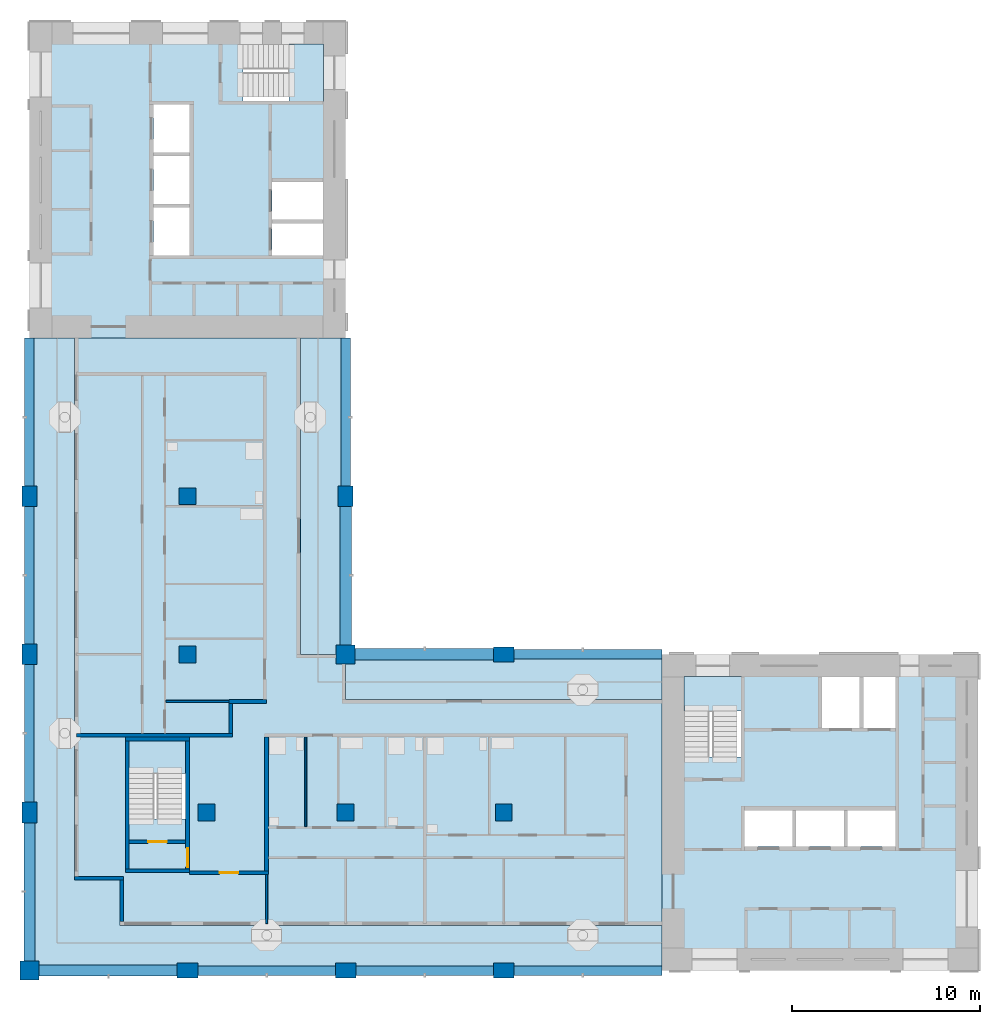
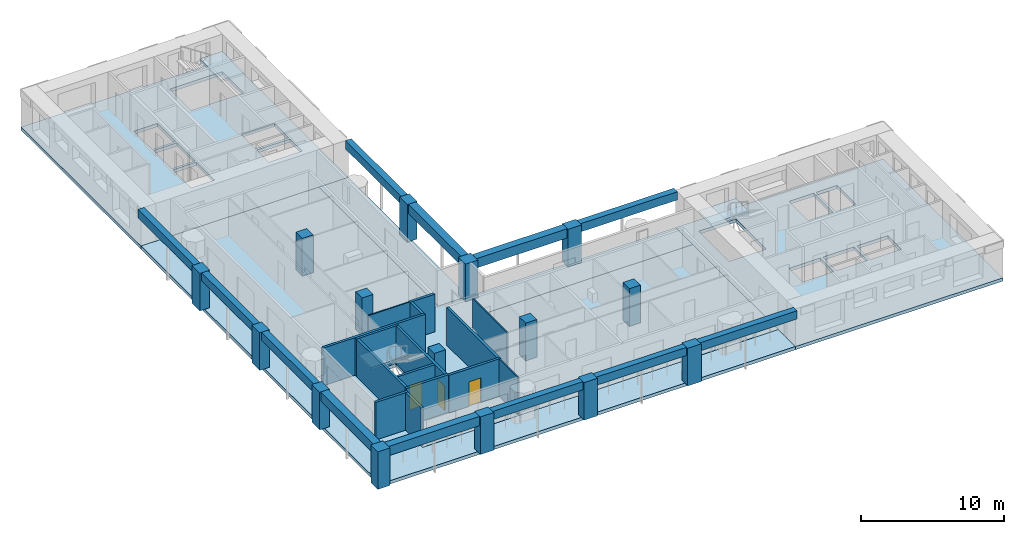
# One storey, part 1 of 12: 15 columns, 15 walls, 12 beams, 10 slabs, 3 doors, 3 openings, 3 elements without a shape of their own.
"""IFC4 building model written with IfcOpenShell, lengths in metres."""

from ifc_helpers import new_model, si_unit, direction, frame, frame_2d, origin, origin_2d, place, context, subcontext, project, spatial, polyline, rectangle, outline, extrude, material, layer, layer_set, material_profile, profile_set, type_object, element, fill, aggregate, save


model = new_model("IFC4")

# Units and contexts
model_context = context("Model", 3, precision=1e-05, world=origin(), true_north=direction((0.0, 1.0)))
body_context = subcontext(model_context, "Body", "Model", "MODEL_VIEW")
ifc_project = project(units=[si_unit("LENGTHUNIT", "METRE"), si_unit("AREAUNIT", "SQUARE_METRE"), si_unit("VOLUMEUNIT", "CUBIC_METRE"), si_unit("PLANEANGLEUNIT", "RADIAN"), si_unit("MASSUNIT", "GRAM", prefix="KILO")], contexts=[model_context])

# Site, building, storey
site_placement = place(None, origin())
site = spatial("IfcSite", under=ifc_project, at=site_placement, CompositionType="ELEMENT")
building_placement = place(site_placement, origin())
building = spatial("IfcBuilding", under=site, at=building_placement, Name="Vermilion Gate Residences", CompositionType="ELEMENT")
storey_placement = place(building_placement, frame((0.0, 0.0, 235.199951171875)))
storey = spatial("IfcBuildingStorey", under=building, at=storey_placement, Name="L61", CompositionType="ELEMENT", Elevation=235.199951171875)

# Columns
ifc_material_1 = material(Name="Concrete C50", Category="concrete")
ifc_material_profile_1 = material_profile(ifc_material_1, rectangle(XDim=1.0, YDim=1.0, at=origin_2d()), Name="RC-1000x1000")
ifc_profile_set_1 = profile_set([ifc_material_profile_1], Name="Concrete C50")
column_type_1 = type_object("IfcColumnType", Name="RC COLUMN 1000 X 1000 C50", PredefinedType="COLUMN", material=ifc_profile_set_1)
for number, where, z_axis, x_axis, name in (
    (1, (8.39990234375, 8.39990234375, 0.0), (0.0, 0.0, 1.0), (1.0, 0.0, 0.0), "Column 2-B L61"),
    (2, (25.199951171875, 25.199951171875, 0.0), (0.0, 0.0, 1.0), (1.0, 0.0, 0.0), "Column 4-D L61"),
):
    element("IfcColumn", number, at=place(storey_placement, frame(where, z_axis=z_axis, x_axis=x_axis)), inside=storey, type_object=column_type_1, Name=name, PredefinedType="COLUMN", context=body_context, shape_type="SweptSolid", body=[
        extrude(rectangle(XDim=1.0, YDim=1.0, at=origin_2d()), origin(), (0.0, 0.0, 1.0), 3.219970703125),
    ])
ifc_material_2 = material(Name="Concrete C50", Category="concrete")
ifc_material_profile_2 = material_profile(ifc_material_2, rectangle(XDim=1.10009765625, YDim=0.800048828125, at=origin_2d()), Name="RC-1100x800")
ifc_profile_set_2 = profile_set([ifc_material_profile_2], Name="Concrete C50")
column_type_2 = type_object("IfcColumnType", Name="RC COLUMN 1100 X 800 C50", PredefinedType="COLUMN", material=ifc_profile_set_2)
for number, where, z_axis, x_axis, name in (
    (3, (8.39990234375, 16.800048828125, 0.0), (0.0, 0.0, 1.0), (0.0, 1.0, 0.0), "Column 2-C L61"),
    (4, (8.39990234375, 25.199951171875, 0.0), (0.0, 0.0, 1.0), (0.0, 1.0, 0.0), "Column 2-D L61"),
    (5, (8.39990234375, 33.60009765625, 0.0), (0.0, 0.0, 1.0), (0.0, 1.0, 0.0), "Column 2-E L61"),
    (6, (16.800048828125, 8.39990234375, 0.0), (0.0, 0.0, 1.0), (1.0, 0.0, 0.0), "Column 3-B L61"),
    (7, (25.199951171875, 8.39990234375, 0.0), (0.0, 0.0, 1.0), (1.0, 0.0, 0.0), "Column 4-B L61"),
    (8, (25.199951171875, 33.60009765625, 0.0), (0.0, 0.0, 1.0), (0.0, 1.0, 0.0), "Column 4-E L61"),
    (9, (33.60009765625, 8.39990234375, 0.0), (0.0, 0.0, 1.0), (1.0, 0.0, 0.0), "Column 5-B L61"),
    (10, (33.60009765625, 25.199951171875, 0.0), (0.0, 0.0, 1.0), (1.0, 0.0, 0.0), "Column 5-D L61"),
):
    element("IfcColumn", number, at=place(storey_placement, frame(where, z_axis=z_axis, x_axis=x_axis)), inside=storey, type_object=column_type_2, Name=name, PredefinedType="COLUMN", context=body_context, shape_type="SweptSolid", body=[
        extrude(rectangle(XDim=1.10009765625, YDim=0.800048828125, at=origin_2d()), origin(), (0.0, 0.0, 1.0), 3.219970703125),
    ])
ifc_material_3 = material(Name="Concrete C50", Category="concrete")
ifc_material_profile_3 = material_profile(ifc_material_3, rectangle(XDim=0.89990234375, YDim=0.89990234375, at=origin_2d()), Name="RC-900x900")
ifc_profile_set_3 = profile_set([ifc_material_profile_3], Name="Concrete C50")
column_type_3 = type_object("IfcColumnType", Name="RC COLUMN 900 X 900 C50", PredefinedType="COLUMN", material=ifc_profile_set_3)
for number, where, z_axis, x_axis, name in (
    (11, (17.800048828125, 16.800048828125, 0.0), (0.0, 0.0, 1.0), (1.0, 0.0, 0.0), "Column 3-C L61"),
    (12, (16.800048828125, 25.199951171875, 0.0), (0.0, 0.0, 1.0), (1.0, 0.0, 0.0), "Column 3-D L61"),
    (13, (16.800048828125, 33.60009765625, 0.0), (0.0, 0.0, 1.0), (1.0, 0.0, 0.0), "Column 3-E L61"),
    (14, (25.199951171875, 16.800048828125, 0.0), (0.0, 0.0, 1.0), (1.0, 0.0, 0.0), "Column 4-C L61"),
    (15, (33.60009765625, 16.800048828125, 0.0), (0.0, 0.0, 1.0), (1.0, 0.0, 0.0), "Column 5-C L61"),
):
    element("IfcColumn", number, at=place(storey_placement, frame(where, z_axis=z_axis, x_axis=x_axis)), inside=storey, type_object=column_type_3, Name=name, PredefinedType="COLUMN", context=body_context, shape_type="SweptSolid", body=[
        extrude(rectangle(XDim=0.89990234375, YDim=0.89990234375, at=origin_2d()), origin(), (0.0, 0.0, 1.0), 3.219970703125),
    ])

# Beams
ifc_material_4 = material(Name="Concrete C60 red-oxide pigmented", Category="concrete")
ifc_material_profile_4 = material_profile(ifc_material_4, rectangle(XDim=0.60009765625, YDim=0.800048828125, at=origin_2d()), Name="RC-600x800")
ifc_profile_set_4 = profile_set([ifc_material_profile_4], Name="Concrete C60 red-oxide pigmented")
beam_type_1 = type_object("IfcBeamType", Name="RC CORNER EDGE BEAM 600 X 800 C60", PredefinedType="BEAM", material=ifc_profile_set_4)
for number, where, z_axis, x_axis, name in (
    (16, (8.89990234375, 8.39990234375, 2.820068359375), (1.0, 0.0, 0.0), (0.0, 1.0, 0.0), "Corner edge beam L61 1"),
    (17, (8.39990234375, 8.89990234375, 2.820068359375), (0.0, 1.0, 0.0), (-1.0, 0.0, 0.0), "Corner edge beam L61 2"),
    (18, (25.199951171875, 25.699951171875, 2.820068359375), (0.0, 1.0, 0.0), (-1.0, 0.0, 0.0), "Corner edge beam L61 7"),
    (19, (25.699951171875, 25.199951171875, 2.820068359375), (1.0, 0.0, 0.0), (0.0, 1.0, 0.0), "Corner edge beam L61 10"),
):
    element("IfcBeam", number, at=place(storey_placement, frame(where, z_axis=z_axis, x_axis=x_axis)), inside=storey, type_object=beam_type_1, Name=name, PredefinedType="BEAM", context=body_context, shape_type="SweptSolid", body=[
        extrude(rectangle(XDim=0.60009765625, YDim=0.800048828125, at=origin_2d()), origin(), (0.0, 0.0, 1.0), 7.35009765625),
    ])
ifc_material_5 = material(Name="Concrete C60 red-oxide pigmented", Category="concrete")
ifc_material_profile_5 = material_profile(ifc_material_5, rectangle(XDim=0.5, YDim=0.699951171875, at=origin_2d()), Name="RC-500x700")
ifc_profile_set_5 = profile_set([ifc_material_profile_5], Name="Concrete C60 red-oxide pigmented")
beam_type_2 = type_object("IfcBeamType", Name="RC EDGE BEAM 500 X 700 C60", PredefinedType="BEAM", material=ifc_profile_set_5)
beam_1_placement = place(storey_placement, frame((8.39990234375, 17.35009765625, 2.8701171875), z_axis=(0.0, 1.0, 0.0), x_axis=(-1.0, 0.0, 0.0)))
element("IfcBeam", 20, at=beam_1_placement, inside=storey, type_object=beam_type_2, Name="Edge beam L61 3", PredefinedType="BEAM", context=body_context, shape_type="SweptSolid", body=[
    extrude(rectangle(XDim=0.5, YDim=0.699951171875, at=origin_2d()), origin(), (0.0, 0.0, 1.0), 7.2998046875),
])
beam_2_placement = place(storey_placement, frame((8.39990234375, 25.75, 2.8701171875), z_axis=(0.0, 1.0, 0.0), x_axis=(-1.0, 0.0, 0.0)))
element("IfcBeam", 21, at=beam_2_placement, inside=storey, type_object=beam_type_2, Name="Edge beam L61 4", PredefinedType="BEAM", context=body_context, shape_type="SweptSolid", body=[
    extrude(rectangle(XDim=0.5, YDim=0.699951171875, at=origin_2d()), origin(), (0.0, 0.0, 1.0), 7.300048828125),
])
beam_3_placement = place(storey_placement, frame((8.39990234375, 34.14990234375, 2.8701171875), z_axis=(0.0, 1.0, 0.0), x_axis=(-1.0, 0.0, 0.0)))
element("IfcBeam", 22, at=beam_3_placement, inside=storey, type_object=beam_type_2, Name="Edge beam L61 5", PredefinedType="BEAM", context=body_context, shape_type="SweptSolid", body=[
    extrude(rectangle(XDim=0.5, YDim=0.699951171875, at=origin_2d()), origin(), (0.0, 0.0, 1.0), 7.85009765625),
])
beam_4_placement = place(storey_placement, frame((17.35009765625, 8.39990234375, 2.8701171875), z_axis=(1.0, 0.0, 0.0), x_axis=(0.0, 1.0, 0.0)))
element("IfcBeam", 23, at=beam_4_placement, inside=storey, type_object=beam_type_2, Name="Edge beam L61 6", PredefinedType="BEAM", context=body_context, shape_type="SweptSolid", body=[
    extrude(rectangle(XDim=0.5, YDim=0.699951171875, at=origin_2d()), origin(), (0.0, 0.0, 1.0), 7.2998046875),
])
beam_5_placement = place(storey_placement, frame((25.199951171875, 34.14990234375, 2.8701171875), z_axis=(0.0, 1.0, 0.0), x_axis=(-1.0, 0.0, 0.0)))
element("IfcBeam", 24, at=beam_5_placement, inside=storey, type_object=beam_type_2, Name="Edge beam L61 8", PredefinedType="BEAM", context=body_context, shape_type="SweptSolid", body=[
    extrude(rectangle(XDim=0.5, YDim=0.699951171875, at=origin_2d()), origin(), (0.0, 0.0, 1.0), 7.85009765625),
])
beam_6_placement = place(storey_placement, frame((25.75, 8.39990234375, 2.8701171875), z_axis=(1.0, 0.0, 0.0), x_axis=(0.0, 1.0, 0.0)))
element("IfcBeam", 25, at=beam_6_placement, inside=storey, type_object=beam_type_2, Name="Edge beam L61 9", PredefinedType="BEAM", context=body_context, shape_type="SweptSolid", body=[
    extrude(rectangle(XDim=0.5, YDim=0.699951171875, at=origin_2d()), origin(), (0.0, 0.0, 1.0), 7.300048828125),
])
for number, where, z_axis, x_axis, name in (
    (26, (34.14990234375, 8.39990234375, 2.8701171875), (1.0, 0.0, 0.0), (0.0, 1.0, 0.0), "Edge beam L61 11"),
    (27, (34.14990234375, 25.199951171875, 2.8701171875), (1.0, 0.0, 0.0), (0.0, 1.0, 0.0), "Edge beam L61 12"),
):
    element("IfcBeam", number, at=place(storey_placement, frame(where, z_axis=z_axis, x_axis=x_axis)), inside=storey, type_object=beam_type_2, Name=name, PredefinedType="BEAM", context=body_context, shape_type="SweptSolid", body=[
        extrude(rectangle(XDim=0.5, YDim=0.699951171875, at=origin_2d()), origin(), (0.0, 0.0, 1.0), 7.85009765625),
    ])

# Slabs
ifc_material_6 = material(Name="Concrete C50", Category="concrete")
ifc_layer_1 = layer(ifc_material_6, 0.280029296875)
ifc_layer_set_1 = layer_set([ifc_layer_1], Name="RC CORE FLOOR SLAB 280 C50")
slab_type_1 = type_object("IfcSlabType", Name="RC CORE FLOOR SLAB 280 C50", PredefinedType="FLOOR", material=ifc_layer_set_1)
slab_1_placement = place(storey_placement, frame((0.0, 0.0, -0.280029296875)))
element("IfcSlab", 28, at=slab_1_placement, inside=storey, type_object=slab_type_1, Name="Core floor slab A61", PredefinedType="FLOOR", context=body_context, shape_type="SweptSolid", body=[
    extrude(outline(polyline([(42.0, 8.39990234375), (58.800048828125, 8.39990234375), (58.800048828125, 25.199951171875), (42.0, 25.199951171875), (42.0, 8.39990234375)]), holes=[polyline([(46.39990234375, 15.0), (46.39990234375, 16.89990234375), (48.933349609375, 16.89990234375), (48.933349609375, 15.0), (46.39990234375, 15.0)]), polyline([(49.13330078125, 16.89990234375), (51.666748046875, 16.89990234375), (51.666748046875, 15.0), (49.13330078125, 15.0), (49.13330078125, 16.89990234375)]), polyline([(51.86669921875, 16.89990234375), (54.39990234375, 16.89990234375), (54.39990234375, 15.0), (51.86669921875, 15.0), (51.86669921875, 16.89990234375)]), polyline([(43.199951171875, 19.75), (43.199951171875, 24.0), (46.199951171875, 24.0), (46.199951171875, 19.75), (43.199951171875, 19.75)]), polyline([(50.5, 24.0), (52.5, 24.0), (52.5, 21.300048828125), (50.5, 21.300048828125), (50.5, 24.0)]), polyline([(52.699951171875, 24.0), (54.39990234375, 24.0), (54.39990234375, 21.300048828125), (52.699951171875, 21.300048828125), (52.699951171875, 24.0)])]), origin(), (0.0, 0.0, 1.0), 0.280029296875),
])
slab_2_placement = place(storey_placement, frame((0.0, 0.0, -0.280029296875)))
element("IfcSlab", 29, at=slab_2_placement, inside=storey, type_object=slab_type_1, Name="Core floor slab B61", PredefinedType="FLOOR", context=body_context, shape_type="SweptSolid", body=[
    extrude(outline(polyline([(8.39990234375, 42.0), (25.199951171875, 42.0), (25.199951171875, 58.800048828125), (8.39990234375, 58.800048828125), (8.39990234375, 42.0)]), holes=[polyline([(21.300048828125, 46.39990234375), (21.300048828125, 48.10009765625), (24.0, 48.10009765625), (24.0, 46.39990234375), (21.300048828125, 46.39990234375)]), polyline([(15.0, 48.933349609375), (16.89990234375, 48.933349609375), (16.89990234375, 46.39990234375), (15.0, 46.39990234375), (15.0, 48.933349609375)]), polyline([(21.300048828125, 50.300048828125), (24.0, 50.300048828125), (24.0, 48.300048828125), (21.300048828125, 48.300048828125), (21.300048828125, 50.300048828125)]), polyline([(15.0, 49.13330078125), (15.0, 51.666748046875), (16.89990234375, 51.666748046875), (16.89990234375, 49.13330078125), (15.0, 49.13330078125)]), polyline([(15.0, 54.39990234375), (16.89990234375, 54.39990234375), (16.89990234375, 51.86669921875), (15.0, 51.86669921875), (15.0, 54.39990234375)]), polyline([(19.75, 57.60009765625), (24.0, 57.60009765625), (24.0, 54.60009765625), (19.75, 54.60009765625), (19.75, 57.60009765625)])]), origin(), (0.0, 0.0, 1.0), 0.280029296875),
])
slab_3_placement = place(storey_placement, frame((0.0, 0.0, -0.280029296875)))
element("IfcSlab", 30, at=slab_3_placement, inside=storey, type_object=slab_type_1, Name="Apex stair floor slab 61", PredefinedType="FLOOR", context=body_context, shape_type="SweptSolid", body=[
    extrude(outline(polyline([(13.5, 13.60009765625), (16.89990234375, 13.60009765625), (16.89990234375, 20.800048828125), (13.5, 20.800048828125), (13.5, 13.60009765625)]), holes=[polyline([(16.699951171875, 20.60009765625), (16.699951171875, 16.449951171875), (13.699951171875, 16.449951171875), (13.699951171875, 20.60009765625), (16.699951171875, 20.60009765625)])]), origin(), (0.0, 0.0, 1.0), 0.280029296875),
])
ifc_material_7 = material(Name="Concrete C50", Category="concrete")
ifc_layer_2 = layer(ifc_material_7, 0.280029296875)
ifc_layer_set_2 = layer_set([ifc_layer_2], Name="RC FLAT PLATE 280 C50")
slab_type_2 = type_object("IfcSlabType", Name="RC FLAT PLATE 280 C50", PredefinedType="FLOOR", material=ifc_layer_set_2)
slab_4_placement = place(storey_placement, frame((0.0, 0.0, -0.280029296875)))
element("IfcSlab", 31, at=slab_4_placement, inside=storey, type_object=slab_type_2, Name="Floor slab L61", PredefinedType="FLOOR", context=body_context, shape_type="SweptSolid", body=[
    extrude(outline(polyline([(22.800048828125, 25.199951171875), (22.800048828125, 42.0), (10.800048828125, 42.0), (10.800048828125, 13.199951171875), (13.199951171875, 13.199951171875), (13.199951171875, 10.800048828125), (42.0, 10.800048828125), (42.0, 22.800048828125), (25.199951171875, 22.800048828125), (25.199951171875, 25.199951171875), (22.800048828125, 25.199951171875)]), holes=[polyline([(13.5, 13.60009765625), (13.5, 20.800048828125), (16.89990234375, 20.800048828125), (16.89990234375, 13.60009765625), (13.5, 13.60009765625)])]), origin(), (0.0, 0.0, 1.0), 0.280029296875),
])
ifc_material_8 = material(Name="Concrete C50 red-oxide pigmented", Category="concrete")
ifc_layer_3 = layer(ifc_material_8, 0.280029296875)
ifc_layer_set_3 = layer_set([ifc_layer_3], Name="RC LOGGIA SLAB 280 C50")
slab_type_3 = type_object("IfcSlabType", Name="RC LOGGIA SLAB 280 C50", PredefinedType="FLOOR", material=ifc_layer_set_3)
slab_5_placement = place(storey_placement, frame((0.0, 0.0, -0.280029296875)))
element("IfcSlab", 32, at=slab_5_placement, inside=storey, type_object=slab_type_3, Name="Loggia slab L61", PredefinedType="FLOOR", context=body_context, shape_type="SweptSolid", body=[
    extrude(outline(polyline([(8.39990234375, 8.39990234375), (42.0, 8.39990234375), (42.0, 10.800048828125), (13.199951171875, 10.800048828125), (13.199951171875, 13.199951171875), (10.800048828125, 13.199951171875), (10.800048828125, 42.0), (8.39990234375, 42.0), (8.39990234375, 8.39990234375)])), origin(), (0.0, 0.0, 1.0), 0.280029296875),
])
slab_6_placement = place(storey_placement, frame((0.0, 0.0, -0.280029296875)))
element("IfcSlab", 33, at=slab_6_placement, inside=storey, type_object=slab_type_3, Name="Loggia slab L61", PredefinedType="FLOOR", context=body_context, shape_type="SweptSolid", body=[
    extrude(outline(polyline([(25.199951171875, 22.800048828125), (42.0, 22.800048828125), (42.0, 25.199951171875), (25.199951171875, 25.199951171875), (25.199951171875, 22.800048828125)])), origin(), (0.0, 0.0, 1.0), 0.280029296875),
])
slab_7_placement = place(storey_placement, frame((0.0, 0.0, -0.280029296875)))
element("IfcSlab", 34, at=slab_7_placement, inside=storey, type_object=slab_type_3, Name="Loggia slab L61", PredefinedType="FLOOR", context=body_context, shape_type="SweptSolid", body=[
    extrude(outline(polyline([(25.199951171875, 42.0), (22.800048828125, 42.0), (22.800048828125, 25.199951171875), (25.199951171875, 25.199951171875), (25.199951171875, 42.0)])), origin(), (0.0, 0.0, 1.0), 0.280029296875),
])

# Stair, slab
ifc_material_9 = material(Name="Concrete C50", Category="concrete")
stair_type = type_object("IfcStairType", Name="SPECIAL ESCAPE STAIR 1300", PredefinedType="HALF_TURN_STAIR", material=ifc_material_9)
stair_1_placement = place(storey_placement, origin())
stair_1 = element("IfcStair", 35, at=stair_1_placement, inside=storey, type_object=stair_type, Name="Special escape stair STA1-61", PredefinedType="HALF_TURN_STAIR")
ifc_material_10 = material(Name="Concrete C50", Category="concrete")
ifc_layer_4 = layer(ifc_material_10, 0.199951171875)
ifc_layer_set_4 = layer_set([ifc_layer_4], Name="STAIR LANDING 200 C50")
slab_type_4 = type_object("IfcSlabType", Name="STAIR LANDING 200 C50", PredefinedType="LANDING", material=ifc_layer_set_4)
slab_8_placement = place(storey_placement, frame((0.0, 0.0, 1.550048828125)))
slab_8 = element("IfcSlab", 36, at=slab_8_placement, type_object=slab_type_4, Name="STA1-61 landing 1", PredefinedType="LANDING", context=body_context, shape_type="SweptSolid", body=[
    extrude(outline(polyline([(46.219970703125, 22.179931640625), (46.219970703125, 24.02001953125), (43.179931640625, 24.02001953125), (43.179931640625, 22.179931640625), (46.219970703125, 22.179931640625)])), origin(), (0.0, 0.0, 1.0), 0.199951171875),
])
aggregate(stair_1, [slab_8])

stair_2_placement = place(storey_placement, origin())
stair_2 = element("IfcStair", 37, at=stair_2_placement, inside=storey, type_object=stair_type, Name="Special escape stair STB1-61", PredefinedType="HALF_TURN_STAIR")
slab_9_placement = place(storey_placement, frame((0.0, 0.0, 1.550048828125)))
slab_9 = element("IfcSlab", 38, at=slab_9_placement, type_object=slab_type_4, Name="STB1-61 landing 1", PredefinedType="LANDING", context=body_context, shape_type="SweptSolid", body=[
    extrude(outline(polyline([(24.02001953125, 54.580078125), (24.02001953125, 57.6201171875), (22.179931640625, 57.6201171875), (22.179931640625, 54.580078125), (24.02001953125, 54.580078125)])), origin(), (0.0, 0.0, 1.0), 0.199951171875),
])
aggregate(stair_2, [slab_9])

stair_3_placement = place(storey_placement, origin())
stair_3 = element("IfcStair", 39, at=stair_3_placement, inside=storey, type_object=stair_type, Name="Special escape stair STC1-61", PredefinedType="HALF_TURN_STAIR")
slab_10_placement = place(storey_placement, frame((0.0, 0.0, 1.550048828125)))
slab_10 = element("IfcSlab", 40, at=slab_10_placement, type_object=slab_type_4, Name="STC1-61 landing 1", PredefinedType="LANDING", context=body_context, shape_type="SweptSolid", body=[
    extrude(outline(polyline([(16.719970703125, 18.8798828125), (16.719970703125, 20.6201171875), (13.679931640625, 20.6201171875), (13.679931640625, 18.8798828125), (16.719970703125, 18.8798828125)])), origin(), (0.0, 0.0, 1.0), 0.199951171875),
])
aggregate(stair_3, [slab_10])

# Walls
ifc_material_11 = material(Name="Insulated steel stud wall with terracotta rainscreen", Category="masonry")
ifc_layer_5 = layer(ifc_material_11, 0.199951171875)
ifc_layer_set_5 = layer_set([ifc_layer_5], Name="EXTERNAL WALL 200 TERRACOTTA RAINSCREEN")
wall_type_1 = type_object("IfcWallType", Name="EXTERNAL WALL 200 TERRACOTTA RAINSCREEN", PredefinedType="SOLIDWALL", material=ifc_layer_set_5)
wall_1_placement = place(storey_placement, frame((10.800048828125, 13.300048828125, 0.0), z_axis=(0.0, 0.0, 1.0), x_axis=(1.0, 0.0, 0.0)))
element("IfcWall", 41, at=wall_1_placement, inside=storey, type_object=wall_type_1, Name="External wall", PredefinedType="SOLIDWALL", context=body_context, shape_type="SweptSolid", body=[
    extrude(rectangle(XDim=2.599853515625, YDim=0.199951171875, at=frame_2d((1.2998046875, 0.0))), origin(), (0.0, 0.0, 1.0), 3.219970703125),
])
wall_2_placement = place(storey_placement, frame((13.300048828125, 13.199951171875, 0.0), z_axis=(0.0, 0.0, 1.0), x_axis=(0.0, -1.0, 0.0)))
element("IfcWall", 42, at=wall_2_placement, inside=storey, type_object=wall_type_1, Name="External wall", PredefinedType="SOLIDWALL", context=body_context, shape_type="SweptSolid", body=[
    extrude(rectangle(XDim=2.199951171875, YDim=0.199951171875, at=frame_2d((1.10009765625, 0.0))), origin(), (0.0, 0.0, 1.0), 3.219970703125),
])
ifc_material_12 = material(Name="Plasterboard on steel studs", Category="steel")
ifc_layer_6 = layer(ifc_material_12, 0.10009765625)
ifc_layer_set_6 = layer_set([ifc_layer_6], Name="PARTITION 100")
wall_type_2 = type_object("IfcWallType", Name="PARTITION 100", PredefinedType="PARTITIONING", material=ifc_layer_set_6)
wall_3_placement = place(storey_placement, frame((15.64990234375, 22.699951171875, 0.0), z_axis=(0.0, 0.0, 1.0), x_axis=(1.0, 0.0, 0.0)))
element("IfcWall", 43, at=wall_3_placement, inside=storey, type_object=wall_type_2, Name="Partition", PredefinedType="PARTITIONING", context=body_context, shape_type="SweptSolid", body=[
    extrude(rectangle(XDim=3.35009765625, YDim=0.10009765625, at=frame_2d((1.675048828125, 0.0))), origin(), (0.0, 0.0, 1.0), 3.219970703125),
])
wall_4_placement = place(storey_placement, frame((21.0, 10.89990234375, 0.0), z_axis=(0.0, 0.0, 1.0), x_axis=(0.0, 1.0, 0.0)))
element("IfcWall", 44, at=wall_4_placement, inside=storey, type_object=wall_type_2, Name="Partition", PredefinedType="PARTITIONING", context=body_context, shape_type="SweptSolid", body=[
    extrude(rectangle(XDim=2.60009765625, YDim=0.10009765625, at=frame_2d((1.300048828125, 0.0))), origin(), (0.0, 0.0, 1.0), 3.219970703125),
])
wall_5_placement = place(storey_placement, frame((23.080078125, 16.050048828125, 0.0), z_axis=(0.0, 0.0, 1.0), x_axis=(0.0, 1.0, 0.0)))
element("IfcWall", 45, at=wall_5_placement, inside=storey, type_object=wall_type_2, Name="Partition", PredefinedType="PARTITIONING", context=body_context, shape_type="SweptSolid", body=[
    extrude(rectangle(XDim=4.75, YDim=0.10009765625, at=frame_2d((2.375, 0.0))), origin(), (0.0, 0.0, 1.0), 3.219970703125),
])

# Wall, opening, door
ifc_material_13 = material(Name="Fire-rated plasterboard on steel studs", Category="steel")
ifc_layer_7 = layer(ifc_material_13, 0.199951171875)
ifc_layer_set_7 = layer_set([ifc_layer_7], Name="PARTY WALL 200 EI 120")
wall_type_3 = type_object("IfcWallType", Name="PARTY WALL 200 EI 120", PredefinedType="PARTITIONING", material=ifc_layer_set_7)
wall_6_placement = place(storey_placement, frame((16.89990234375, 13.60009765625, 0.0), z_axis=(0.0, 0.0, 1.0), x_axis=(1.0, 0.0, 0.0)))
wall_6 = element("IfcWall", 46, at=wall_6_placement, inside=storey, type_object=wall_type_3, Name="Party and corridor wall", PredefinedType="PARTITIONING", context=body_context, shape_type="SweptSolid", body=[
    extrude(rectangle(XDim=4.2001953125, YDim=0.199951171875, at=frame_2d((2.10009765625, 0.0))), origin(), (0.0, 0.0, 1.0), 3.219970703125),
])
opening_1_placement = place(wall_6_placement, frame((1.60009765625, 0.0, 0.0)))
opening_1 = element("IfcOpeningElement", 47, at=opening_1_placement, cuts=wall_6, Name="Opening DA61001", PredefinedType="OPENING", context=body_context, shape_type="SweptSolid", body=[
    extrude(rectangle(XDim=1.0, YDim=2.10009765625, at=frame_2d((0.5, 1.050048828125))), frame((0.0, 0.10986328125, 0.0), z_axis=(0.0, -1.0, 0.0), x_axis=(1.0, 0.0, 0.0)), (0.0, 0.0, 1.0), 0.219970703125),
])
ifc_material_14 = material(Name="Steel", Category="steel")
door_type_1 = type_object("IfcDoorType", Name="ENTRANCE DOOR 1000 X 2100 FD30", OperationType="SINGLE_SWING_LEFT", PredefinedType="DOOR", material=ifc_material_14)
door_1_placement = place(opening_1_placement, frame((1.0, 0.0, 0.0), z_axis=(0.0, 0.0, 1.0), x_axis=(-1.0, 0.0, 0.0)))
door_1 = element("IfcDoor", 48, at=door_1_placement, inside=storey, type_object=door_type_1, Name="Entrance door", OperationType="SINGLE_SWING_LEFT", OverallHeight=2.10009765625, OverallWidth=1.0, PredefinedType="DOOR", context=body_context, shape_type="SweptSolid", body=[
    extrude(rectangle(XDim=1.0, YDim=2.10009765625, at=frame_2d((0.5, 1.050048828125))), frame((0.0, 0.02490234375, 0.0), z_axis=(0.0, -1.0, 0.0), x_axis=(1.0, 0.0, 0.0)), (0.0, 0.0, 1.0), 0.050048828125),
])
fill(opening_1, door_1)

# Walls
wall_7_placement = place(storey_placement, frame((10.89990234375, 20.89990234375, 0.0), z_axis=(0.0, 0.0, 1.0), x_axis=(1.0, 0.0, 0.0)))
element("IfcWall", 49, at=wall_7_placement, inside=storey, type_object=wall_type_3, Name="Party and corridor wall", PredefinedType="PARTITIONING", context=body_context, shape_type="SweptSolid", body=[
    extrude(rectangle(XDim=8.300048828125, YDim=0.199951171875, at=frame_2d((4.14990234375, 0.0))), origin(), (0.0, 0.0, 1.0), 3.219970703125),
])
wall_8_placement = place(storey_placement, frame((19.0, 22.699951171875, 0.0), z_axis=(0.0, 0.0, 1.0), x_axis=(1.0, 0.0, 0.0)))
element("IfcWall", 50, at=wall_8_placement, inside=storey, type_object=wall_type_3, Name="Party and corridor wall", PredefinedType="PARTITIONING", context=body_context, shape_type="SweptSolid", body=[
    extrude(rectangle(XDim=2.0, YDim=0.199951171875, at=frame_2d((1.0, 0.0))), origin(), (0.0, 0.0, 1.0), 3.219970703125),
])
wall_9_placement = place(storey_placement, frame((19.10009765625, 21.0, 0.0), z_axis=(0.0, 0.0, 1.0), x_axis=(0.0, 1.0, 0.0)))
element("IfcWall", 51, at=wall_9_placement, inside=storey, type_object=wall_type_3, Name="Party and corridor wall", PredefinedType="PARTITIONING", context=body_context, shape_type="SweptSolid", body=[
    extrude(rectangle(XDim=1.60009765625, YDim=0.199951171875, at=frame_2d((0.800048828125, 0.0))), origin(), (0.0, 0.0, 1.0), 3.219970703125),
])
wall_10_placement = place(storey_placement, frame((21.0, 13.699951171875, 0.0), z_axis=(0.0, 0.0, 1.0), x_axis=(0.0, 1.0, 0.0)))
element("IfcWall", 52, at=wall_10_placement, inside=storey, type_object=wall_type_3, Name="Party and corridor wall", PredefinedType="PARTITIONING", context=body_context, shape_type="SweptSolid", body=[
    extrude(rectangle(XDim=7.10009765625, YDim=0.199951171875, at=frame_2d((3.550048828125, 0.0))), origin(), (0.0, 0.0, 1.0), 3.219970703125),
])
ifc_material_15 = material(Name="Concrete C60", Category="concrete")
ifc_layer_8 = layer(ifc_material_15, 0.199951171875)
ifc_layer_set_8 = layer_set([ifc_layer_8], Name="RC CORE INTERNAL WALL 200 C60")
wall_type_4 = type_object("IfcWallType", Name="RC CORE INTERNAL WALL 200 C60", PredefinedType="SHEAR", material=ifc_layer_set_8)
wall_11_placement = place(storey_placement, frame((13.60009765625, 13.800048828125, 0.0), z_axis=(0.0, 0.0, 1.0), x_axis=(0.0, 1.0, 0.0)))
element("IfcWall", 53, at=wall_11_placement, inside=storey, type_object=wall_type_4, Name="Core internal wall C61-W", PredefinedType="SHEAR", context=body_context, shape_type="SweptSolid", body=[
    extrude(rectangle(XDim=6.800048828125, YDim=0.199951171875, at=frame_2d((3.39990234375, 0.0))), origin(), (0.0, 0.0, 1.0), 3.219970703125),
])

# Wall, opening, door
wall_12_placement = place(storey_placement, frame((16.800048828125, 13.800048828125, 0.0), z_axis=(0.0, 0.0, 1.0), x_axis=(0.0, 1.0, 0.0)))
wall_12 = element("IfcWall", 54, at=wall_12_placement, inside=storey, type_object=wall_type_4, Name="Core internal wall C61-E", PredefinedType="SHEAR", context=body_context, shape_type="SweptSolid", body=[
    extrude(rectangle(XDim=6.800048828125, YDim=0.199951171875, at=frame_2d((3.39990234375, 0.0))), origin(), (0.0, 0.0, 1.0), 3.219970703125),
])
opening_2_placement = place(wall_12_placement, frame((0.10009765625, 0.0, 0.0)))
opening_2 = element("IfcOpeningElement", 55, at=opening_2_placement, cuts=wall_12, Name="Opening DK61201", PredefinedType="OPENING", context=body_context, shape_type="SweptSolid", body=[
    extrude(rectangle(XDim=1.0, YDim=2.10009765625, at=frame_2d((0.5, 1.050048828125))), frame((0.0, 0.10986328125, 0.0), z_axis=(0.0, -1.0, 0.0), x_axis=(1.0, 0.0, 0.0)), (0.0, 0.0, 1.0), 0.219970703125),
])
ifc_material_16 = material(Name="Steel", Category="steel")
door_type_2 = type_object("IfcDoorType", Name="FIRE DOOR FD60 1000 X 2100", OperationType="SINGLE_SWING_LEFT", PredefinedType="DOOR", material=ifc_material_16)
door_2_placement = place(opening_2_placement, frame((1.0, 0.0, 0.0), z_axis=(0.0, 0.0, 1.0), x_axis=(-1.0, 0.0, 0.0)))
door_2 = element("IfcDoor", 56, at=door_2_placement, inside=storey, type_object=door_type_2, Name="Stair vestibule door C61", OperationType="SINGLE_SWING_RIGHT", OverallHeight=2.10009765625, OverallWidth=1.0, PredefinedType="DOOR", context=body_context, shape_type="SweptSolid", body=[
    extrude(rectangle(XDim=1.0, YDim=2.10009765625, at=frame_2d((0.5, 1.050048828125))), frame((0.0, 0.02490234375, 0.0), z_axis=(0.0, -1.0, 0.0), x_axis=(1.0, 0.0, 0.0)), (0.0, 0.0, 1.0), 0.050048828125),
])
fill(opening_2, door_2)

# Walls
for number, where, z_axis, x_axis, name in (
    (57, (13.5, 13.699951171875, 0.0), (0.0, 0.0, 1.0), (1.0, 0.0, 0.0), "Core internal wall C61-S"),
    (58, (13.5, 20.699951171875, 0.0), (0.0, 0.0, 1.0), (1.0, 0.0, 0.0), "Core internal wall C61-N"),
):
    element("IfcWall", number, at=place(storey_placement, frame(where, z_axis=z_axis, x_axis=x_axis)), inside=storey, type_object=wall_type_4, Name=name, PredefinedType="SHEAR", context=body_context, shape_type="SweptSolid", body=[
        extrude(rectangle(XDim=3.39990234375, YDim=0.199951171875, at=frame_2d((1.699951171875, 0.0))), origin(), (0.0, 0.0, 1.0), 3.219970703125),
    ])

# Wall, opening, door
wall_13_placement = place(storey_placement, frame((13.699951171875, 15.25, 0.0), z_axis=(0.0, 0.0, 1.0), x_axis=(1.0, 0.0, 0.0)))
wall_13 = element("IfcWall", 59, at=wall_13_placement, inside=storey, type_object=wall_type_4, Name="Core internal wall C61-P", PredefinedType="SHEAR", context=body_context, shape_type="SweptSolid", body=[
    extrude(rectangle(XDim=3.0, YDim=0.199951171875, at=frame_2d((1.5, 0.0))), origin(), (0.0, 0.0, 1.0), 3.219970703125),
])
opening_3_placement = place(wall_13_placement, frame((1.0, 0.0, 0.0)))
opening_3 = element("IfcOpeningElement", 60, at=opening_3_placement, cuts=wall_13, Name="Opening DK61202", PredefinedType="OPENING", context=body_context, shape_type="SweptSolid", body=[
    extrude(rectangle(XDim=1.0, YDim=2.10009765625, at=frame_2d((0.5, 1.050048828125))), frame((0.0, 0.10986328125, 0.0), z_axis=(0.0, -1.0, 0.0), x_axis=(1.0, 0.0, 0.0)), (0.0, 0.0, 1.0), 0.219970703125),
])
door_3_placement = place(opening_3_placement, origin())
door_3 = element("IfcDoor", 61, at=door_3_placement, inside=storey, type_object=door_type_2, Name="Stair door C61", OperationType="SINGLE_SWING_LEFT", OverallHeight=2.10009765625, OverallWidth=1.0, PredefinedType="DOOR", context=body_context, shape_type="SweptSolid", body=[
    extrude(rectangle(XDim=1.0, YDim=2.10009765625, at=frame_2d((0.5, 1.050048828125))), frame((0.0, 0.02490234375, 0.0), z_axis=(0.0, -1.0, 0.0), x_axis=(1.0, 0.0, 0.0)), (0.0, 0.0, 1.0), 0.050048828125),
])
fill(opening_3, door_3)

save(model, "model.ifc")
